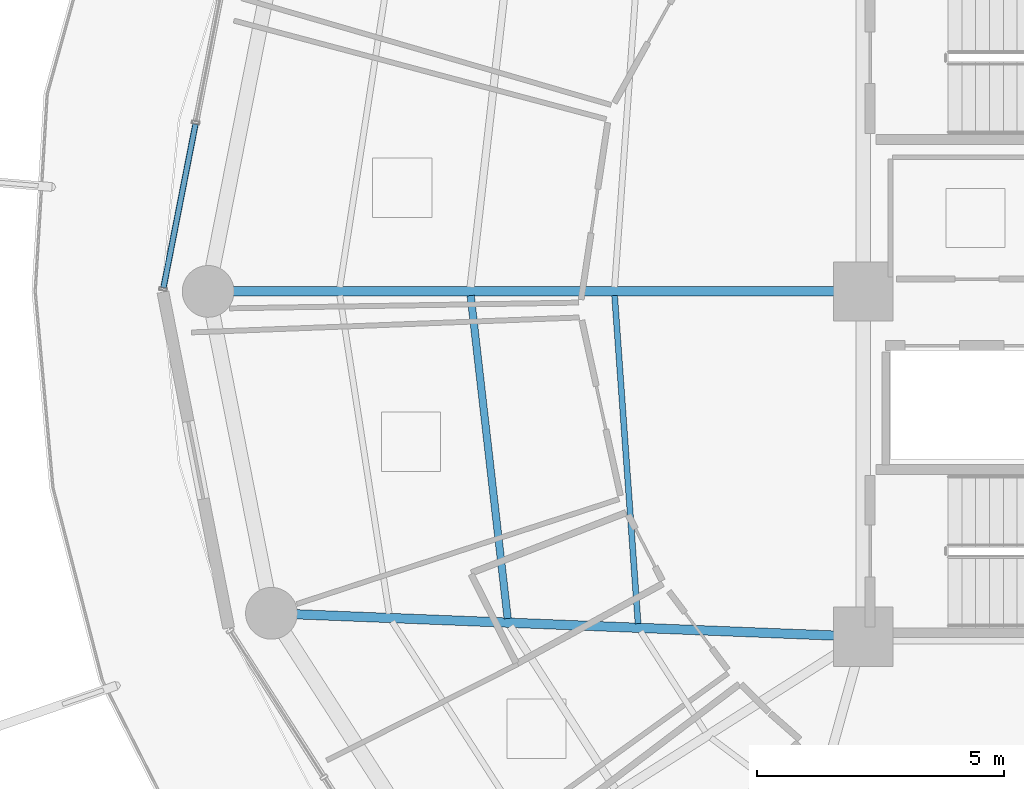
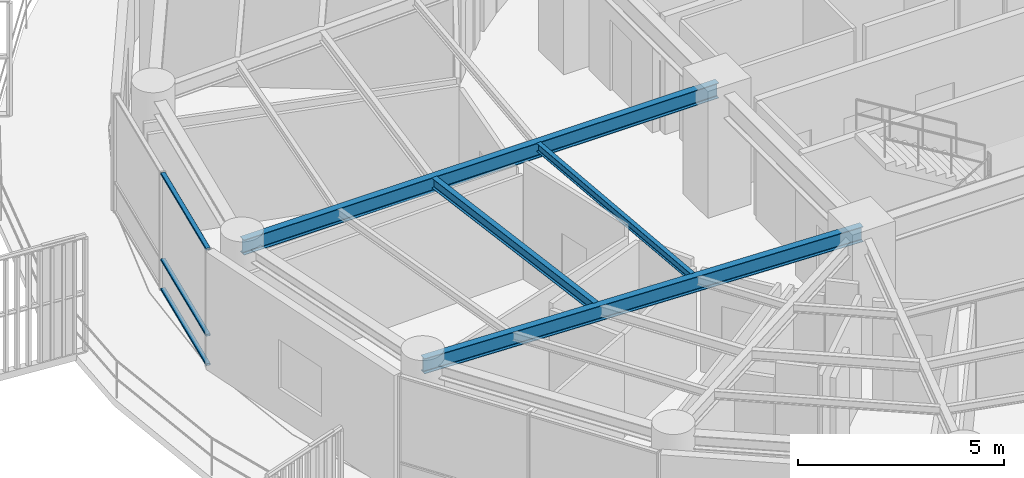
# One storey, part 7 of 30: 4 beams, 3 members, 1 element without a shape of its own.
"""IFC4 building model written with IfcOpenShell, lengths in metres."""

from ifc_helpers import new_model, si_unit, direction, frame, origin, origin_2d, place, context, subcontext, project, spatial, hollow_rectangle, i_section, extrude, material, layer, layer_set, material_profile, profile_set, type_object, element, aggregate, save


model = new_model("IFC4")

# Units and contexts
model_context = context("Model", 3, precision=1e-05, world=origin(), true_north=direction((0.0, 1.0)))
body_context = subcontext(model_context, "Body", "Model", "MODEL_VIEW")
ifc_project = project(units=[si_unit("LENGTHUNIT", "METRE"), si_unit("AREAUNIT", "SQUARE_METRE"), si_unit("VOLUMEUNIT", "CUBIC_METRE"), si_unit("PLANEANGLEUNIT", "RADIAN"), si_unit("MASSUNIT", "GRAM", prefix="KILO")], contexts=[model_context])

# Site, building, storey
site_placement = place(None, origin())
site = spatial("IfcSite", under=ifc_project, at=site_placement, CompositionType="ELEMENT")
building_placement = place(site_placement, origin())
building = spatial("IfcBuilding", under=site, at=building_placement, Name="Kelanora Arch Commons", CompositionType="ELEMENT")
storey_placement = place(building_placement, frame((0.0, 0.0, 215.699951171875)))
storey = spatial("IfcBuildingStorey", under=building, at=storey_placement, Name="L55", CompositionType="ELEMENT", Elevation=215.699951171875)

# Beams
ifc_material_1 = material(Name="Steel S355", Category="steel")
ifc_material_profile_1 = material_profile(ifc_material_1, i_section(OverallWidth=0.14990234375, OverallDepth=0.300048828125, WebThickness=0.007080078125, FlangeThickness=0.0107421875, FilletRadius=0.014892578125, at=origin_2d()), Name="IPE300")
ifc_profile_set_1 = profile_set([ifc_material_profile_1], Name="Steel S355")
beam_type_1 = type_object("IfcBeamType", Name="BM-JST-01", PredefinedType="JOIST", material=ifc_profile_set_1)
beam_1_placement = place(storey_placement, frame((58.041748046875, 57.91552734375, 3.340087890625), z_axis=(0.113891408177, -0.993493204377, 0.0), x_axis=(0.993493204377, 0.113891408177, 0.0)))
element("IfcBeam", 1, at=beam_1_placement, inside=storey, type_object=beam_type_1, Name="Secondary Chord Joist BJB-18 L55", PredefinedType="JOIST", context=body_context, shape_type="SweptSolid", body=[
    extrude(i_section(OverallWidth=0.14990234375, OverallDepth=0.300048828125, WebThickness=0.007080078125, FlangeThickness=0.0107421875, FilletRadius=0.014892578125, at=origin_2d()), origin(), (0.0, 0.0, 1.0), 6.589599609375),
])
ifc_material_profile_2 = material_profile(ifc_material_1, i_section(OverallWidth=0.1201171875, OverallDepth=0.239990234375, WebThickness=0.006103515625, FlangeThickness=0.009765625, FilletRadius=0.014892578125, at=origin_2d()), Name="IPE240")
ifc_profile_set_2 = profile_set([ifc_material_profile_2], Name="Steel S355")
beam_type_2 = type_object("IfcBeamType", Name="BM-JST-02", PredefinedType="JOIST", material=ifc_profile_set_2)
beam_2_placement = place(storey_placement, frame((60.959716796875, 57.915283203125, 3.3701171875), z_axis=(0.07133032136, -0.997452748382, 0.0), x_axis=(0.997452748382, 0.07133032136, 0.0)))
element("IfcBeam", 2, at=beam_2_placement, inside=storey, type_object=beam_type_2, Name="Secondary Chord Joist BJA-18 L55", PredefinedType="JOIST", context=body_context, shape_type="SweptSolid", body=[
    extrude(i_section(OverallWidth=0.1201171875, OverallDepth=0.239990234375, WebThickness=0.006103515625, FlangeThickness=0.009765625, FilletRadius=0.014892578125, at=origin_2d()), origin(), (0.0, 0.0, 1.0), 6.66748046875),
])
ifc_material_profile_3 = material_profile(ifc_material_1, i_section(OverallWidth=0.18994140625, OverallDepth=0.449951171875, WebThickness=0.009521484375, FlangeThickness=0.0146484375, FilletRadius=0.02099609375, at=origin_2d()), Name="IPE450")
ifc_profile_set_3 = profile_set([ifc_material_profile_3], Name="Steel S355")
beam_type_3 = type_object("IfcBeamType", Name="BM-RAD-Z4", PredefinedType="BEAM", material=ifc_profile_set_3)
beam_3_placement = place(storey_placement, frame((66.0, 58.0, 3.26513671875), z_axis=(-1.0, 0.0, 0.0), x_axis=(0.0, -1.0, 0.0)))
element("IfcBeam", 3, at=beam_3_placement, inside=storey, type_object=beam_type_3, Name="Radial Floor Girder BR-18 L55", PredefinedType="BEAM", context=body_context, shape_type="SweptSolid", body=[
    extrude(i_section(OverallWidth=0.18994140625, OverallDepth=0.449951171875, WebThickness=0.009521484375, FlangeThickness=0.0146484375, FilletRadius=0.02099609375, at=origin_2d()), origin(), (0.0, 0.0, 1.0), 13.280029296875),
])
beam_4_placement = place(storey_placement, frame((66.0, 51.0, 3.26513671875), z_axis=(-0.999219142585, 0.03951082246, 0.0), x_axis=(-0.03951082246, -0.999219142585, 0.0)))
element("IfcBeam", 4, at=beam_4_placement, inside=storey, type_object=beam_type_3, Name="Radial Floor Girder BR-20 L55", PredefinedType="BEAM", context=body_context, shape_type="SweptSolid", body=[
    extrude(i_section(OverallWidth=0.18994140625, OverallDepth=0.449951171875, WebThickness=0.009521484375, FlangeThickness=0.0146484375, FilletRadius=0.02099609375, at=origin_2d()), origin(), (0.0, 0.0, 1.0), 12.005859375),
])

# Curtain wall, members
ifc_material_2 = material(Name="Terracotta ceramic-fritted low-E glass and aluminium", Category="masonry")
ifc_layer = layer(ifc_material_2, 0.175048828125)
ifc_layer_set = layer_set([ifc_layer], Name="Terracotta ceramic-fritted low-E glass and aluminium")
curtain_wall_type = type_object("IfcCurtainWallType", Name="CW-SYS-02", PredefinedType="NOTDEFINED", material=ifc_layer_set)
curtain_wall_placement = place(storey_placement, origin())
curtain_wall = element("IfcCurtainWall", 5, at=curtain_wall_placement, inside=storey, type_object=curtain_wall_type, Name="Unitised Curtain Wall L55-B08", PredefinedType="NOTDEFINED")
ifc_material_3 = material(Name="Powder-coated aluminium terracotta", Category="masonry")
ifc_material_profile_4 = material_profile(ifc_material_3, hollow_rectangle(XDim=0.1201171875, YDim=0.06005859375, WallThickness=0.0048828125, InnerFilletRadius=0.0048828125, OuterFilletRadius=0.010009765625, at=origin_2d()), Name="CWT120x60")
ifc_profile_set_4 = profile_set([ifc_material_profile_4], Name="Powder-coated aluminium terracotta")
member_type = type_object("IfcMemberType", Name="CWT-STD", PredefinedType="USERDEFINED", material=ifc_profile_set_4)
member_1_placement = place(storey_placement, frame((52.463623046875, 61.390869140625, 0.030029296875), z_axis=(-0.192044874899, -0.981386145218, 0.0), x_axis=(0.981386145218, -0.192044874899, 0.0)))
member_1 = element("IfcMember", 6, at=member_1_placement, type_object=member_type, Name="CW-02 transom 2.1", ObjectType="TRANSOM", PredefinedType="USERDEFINED", context=body_context, shape_type="SweptSolid", body=[
    extrude(hollow_rectangle(XDim=0.1201171875, YDim=0.06005859375, WallThickness=0.0048828125, InnerFilletRadius=0.0048828125, OuterFilletRadius=0.010009765625, at=origin_2d()), origin(), (0.0, 0.0, 1.0), 3.38037109375),
])
member_2_placement = place(storey_placement, frame((52.463623046875, 61.390869140625, 0.900146484375), z_axis=(-0.192044874899, -0.981386145218, 0.0), x_axis=(0.981386145218, -0.192044874899, 0.0)))
member_2 = element("IfcMember", 7, at=member_2_placement, type_object=member_type, Name="CW-02 transom 2.2", ObjectType="TRANSOM", PredefinedType="USERDEFINED", context=body_context, shape_type="SweptSolid", body=[
    extrude(hollow_rectangle(XDim=0.1201171875, YDim=0.06005859375, WallThickness=0.0048828125, InnerFilletRadius=0.0048828125, OuterFilletRadius=0.010009765625, at=origin_2d()), origin(), (0.0, 0.0, 1.0), 3.38037109375),
])
member_3_placement = place(storey_placement, frame((52.463623046875, 61.390869140625, 3.445068359375), z_axis=(-0.192044874899, -0.981386145218, 0.0), x_axis=(0.981386145218, -0.192044874899, 0.0)))
member_3 = element("IfcMember", 8, at=member_3_placement, type_object=member_type, Name="CW-02 transom 2.3", ObjectType="TRANSOM", PredefinedType="USERDEFINED", context=body_context, shape_type="SweptSolid", body=[
    extrude(hollow_rectangle(XDim=0.1201171875, YDim=0.06005859375, WallThickness=0.0048828125, InnerFilletRadius=0.0048828125, OuterFilletRadius=0.010009765625, at=origin_2d()), origin(), (0.0, 0.0, 1.0), 3.38037109375),
])
aggregate(curtain_wall, [member_1, member_2, member_3])

save(model, "model.ifc")
